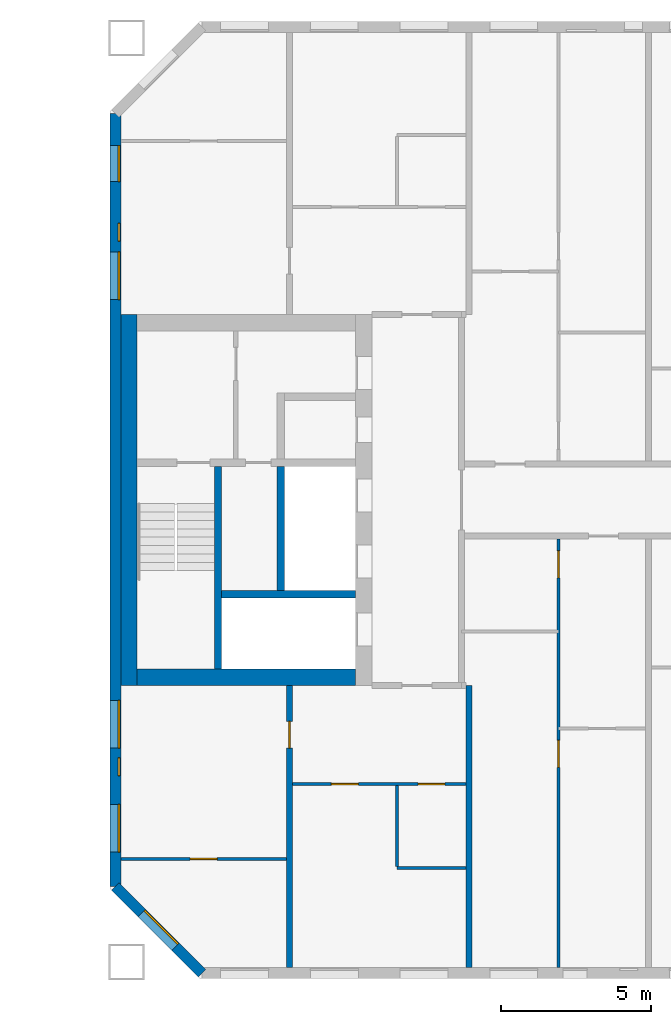
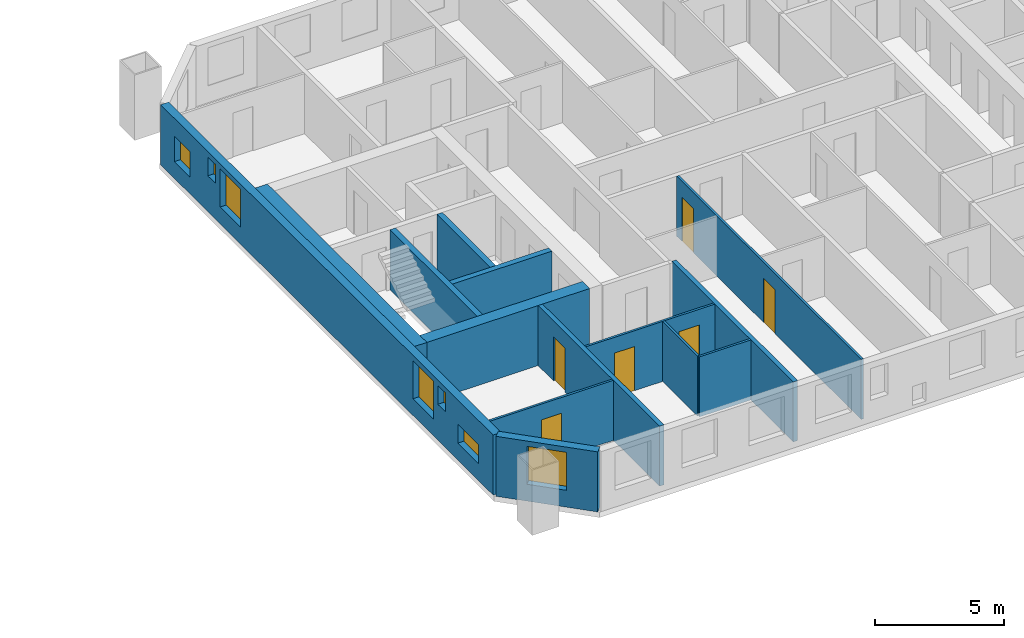
# One storey, part 9 of 16: 14 walls, 7 windows, 6 doors, 13 openings.
"""IFC4 building model written with IfcOpenShell, lengths in metres."""

from ifc_helpers import new_model, si_unit, direction, frame, frame_2d, origin, place, context, subcontext, project, spatial, rectangle, extrude, material, layer, layer_set, type_object, element, fill, save


model = new_model("IFC4")

# Units and contexts
model_context = context("Model", 3, precision=1e-05, world=origin(), true_north=direction((0.0, 1.0)))
body_context = subcontext(model_context, "Body", "Model", "MODEL_VIEW")
ifc_project = project(units=[si_unit("LENGTHUNIT", "METRE"), si_unit("AREAUNIT", "SQUARE_METRE"), si_unit("VOLUMEUNIT", "CUBIC_METRE"), si_unit("PLANEANGLEUNIT", "RADIAN"), si_unit("MASSUNIT", "GRAM", prefix="KILO")], contexts=[model_context])

# Site, building, storey
site_placement = place(None, origin())
site = spatial("IfcSite", under=ifc_project, at=site_placement, CompositionType="ELEMENT")
building_placement = place(site_placement, origin())
building = spatial("IfcBuilding", under=site, at=building_placement, Name="Tuart Gate Housing", CompositionType="ELEMENT")
storey_placement = place(building_placement, frame((0.0, 0.0, 136.10009765625)))
storey = spatial("IfcBuildingStorey", under=building, at=storey_placement, Name="L38", CompositionType="ELEMENT", Elevation=136.10009765625)

# Wall, opening, window
ifc_material_1 = material(Name="Brick", Category="masonry")
ifc_layer_1 = layer(ifc_material_1, 0.360107421875)
ifc_layer_set_1 = layer_set([ifc_layer_1], Name="Brick pier and spandrel wall 360")
wall_type_1 = type_object("IfcWallType", Name="Brick pier and spandrel wall 360", PredefinedType="STANDARD", material=ifc_layer_set_1)
wall_1_placement = place(storey_placement, frame((131.179931640625, 57.07470703125, 0.0), z_axis=(0.0, 0.0, 1.0), x_axis=(0.707106781187, -0.707106781187, 0.0)))
wall_1 = element("IfcWall", 1, at=wall_1_placement, inside=storey, type_object=wall_type_1, Name="External wall B-SW L38", PredefinedType="STANDARD", context=body_context, shape_type="SweptSolid", body=[
    extrude(rectangle(XDim=4.09375, YDim=0.360107421875, at=frame_2d((2.046875, 0.0))), origin(), (0.0, 0.0, 1.0), 2.849853515625),
])
opening_1_placement = place(wall_1_placement, frame((1.2470703125, 0.0, 0.800048828125)))
opening_1 = element("IfcOpeningElement", 2, at=opening_1_placement, cuts=wall_1, Name="Opening W1", PredefinedType="OPENING", context=body_context, shape_type="SweptSolid", body=[
    extrude(rectangle(XDim=1.60009765625, YDim=1.800048828125, at=frame_2d((0.800048828125, 0.89990234375))), frame((0.0, 0.18994140625, 0.0), z_axis=(0.0, -1.0, 0.0), x_axis=(1.0, 0.0, 0.0)), (0.0, 0.0, 1.0), 0.380126953125),
])
ifc_material_2 = material(Name="Aluminium frame with clear glass", Category="aluminium")
window_type_1 = type_object("IfcWindowType", Name="Punched window 1600 x 1800", PartitioningType="SINGLE_PANEL", PredefinedType="WINDOW", material=ifc_material_2)
window_1_placement = place(opening_1_placement, origin())
window_1 = element("IfcWindow", 3, at=window_1_placement, inside=storey, type_object=window_type_1, Name="Window W1", OverallHeight=1.800048828125, OverallWidth=1.60009765625, PartitioningType="SINGLE_PANEL", PredefinedType="WINDOW", context=body_context, shape_type="SweptSolid", body=[
    extrude(rectangle(XDim=1.60009765625, YDim=1.800048828125, at=frame_2d((0.800048828125, 0.89990234375))), frame((0.0, 0.150146484375, 0.0), z_axis=(0.0, -1.0, 0.0), x_axis=(1.0, 0.0, 0.0)), (0.0, 0.0, 1.0), 0.06005859375),
])
fill(opening_1, window_1)

# Wall, openings, windows
wall_2_placement = place(storey_placement, frame((131.179931640625, 82.92529296875, 0.0), z_axis=(0.0, 0.0, 1.0), x_axis=(0.0, -1.0, 0.0)))
wall_2 = element("IfcWall", 4, at=wall_2_placement, inside=storey, type_object=wall_type_1, Name="External wall B-W L38", PredefinedType="STANDARD", context=body_context, shape_type="SweptSolid", body=[
    extrude(rectangle(XDim=25.850830078125, YDim=0.360107421875, at=frame_2d((12.92529296875, 0.0))), origin(), (0.0, 0.0, 1.0), 2.849853515625),
])
opening_2_placement = place(wall_2_placement, frame((1.075439453125, 0.0, 0.800048828125)))
opening_2 = element("IfcOpeningElement", 5, at=opening_2_placement, cuts=wall_2, Name="Opening W1N", PredefinedType="OPENING", context=body_context, shape_type="SweptSolid", body=[
    extrude(rectangle(XDim=1.199951171875, YDim=1.199951171875, at=frame_2d((0.60009765625, 0.60009765625))), frame((0.0, 0.18994140625, 0.0), z_axis=(0.0, -1.0, 0.0), x_axis=(1.0, 0.0, 0.0)), (0.0, 0.0, 1.0), 0.380126953125),
])
opening_3_placement = place(wall_2_placement, frame((4.62548828125, 0.0, 0.800048828125)))
opening_3 = element("IfcOpeningElement", 6, at=opening_3_placement, cuts=wall_2, Name="Opening W1", PredefinedType="OPENING", context=body_context, shape_type="SweptSolid", body=[
    extrude(rectangle(XDim=1.60009765625, YDim=1.800048828125, at=frame_2d((0.800048828125, 0.89990234375))), frame((0.0, 0.18994140625, 0.0), z_axis=(0.0, -1.0, 0.0), x_axis=(1.0, 0.0, 0.0)), (0.0, 0.0, 1.0), 0.380126953125),
])
opening_4_placement = place(wall_2_placement, frame((19.62548828125, 0.0, 0.800048828125)))
opening_4 = element("IfcOpeningElement", 7, at=opening_4_placement, cuts=wall_2, Name="Opening W1", PredefinedType="OPENING", context=body_context, shape_type="SweptSolid", body=[
    extrude(rectangle(XDim=1.60009765625, YDim=1.800048828125, at=frame_2d((0.800048828125, 0.89990234375))), frame((0.0, 0.18994140625, 0.0), z_axis=(0.0, -1.0, 0.0), x_axis=(1.0, 0.0, 0.0)), (0.0, 0.0, 1.0), 0.380126953125),
])
opening_5_placement = place(wall_2_placement, frame((21.55029296875, 0.0, 1.699951171875)))
opening_5 = element("IfcOpeningElement", 8, at=opening_5_placement, cuts=wall_2, Name="Opening W1W", PredefinedType="OPENING", context=body_context, shape_type="SweptSolid", body=[
    extrude(rectangle(XDim=0.60009765625, YDim=0.89990234375, at=frame_2d((0.300048828125, 0.449951171875))), frame((0.0, 0.18994140625, 0.0), z_axis=(0.0, -1.0, 0.0), x_axis=(1.0, 0.0, 0.0)), (0.0, 0.0, 1.0), 0.380126953125),
])
opening_6_placement = place(wall_2_placement, frame((3.67529296875, 0.0, 1.699951171875)))
opening_6 = element("IfcOpeningElement", 9, at=opening_6_placement, cuts=wall_2, Name="Opening W1W", PredefinedType="OPENING", context=body_context, shape_type="SweptSolid", body=[
    extrude(rectangle(XDim=0.60009765625, YDim=0.89990234375, at=frame_2d((0.300048828125, 0.449951171875))), frame((0.0, 0.18994140625, 0.0), z_axis=(0.0, -1.0, 0.0), x_axis=(1.0, 0.0, 0.0)), (0.0, 0.0, 1.0), 0.380126953125),
])
opening_7_placement = place(wall_2_placement, frame((23.100341796875, 0.0, 0.800048828125)))
opening_7 = element("IfcOpeningElement", 10, at=opening_7_placement, cuts=wall_2, Name="Opening W1R", PredefinedType="OPENING", context=body_context, shape_type="SweptSolid", body=[
    extrude(rectangle(XDim=1.60009765625, YDim=0.89990234375, at=frame_2d((0.800048828125, 0.449951171875))), frame((0.0, 0.18994140625, 0.0), z_axis=(0.0, -1.0, 0.0), x_axis=(1.0, 0.0, 0.0)), (0.0, 0.0, 1.0), 0.380126953125),
])
ifc_material_3 = material(Name="Aluminium frame with clear glass", Category="aluminium")
window_type_2 = type_object("IfcWindowType", Name="Punched window 1200 x 1200", PartitioningType="SINGLE_PANEL", PredefinedType="WINDOW", material=ifc_material_3)
window_2_placement = place(opening_2_placement, origin())
window_2 = element("IfcWindow", 11, at=window_2_placement, inside=storey, type_object=window_type_2, Name="Window W1N", OverallHeight=1.199951171875, OverallWidth=1.199951171875, PartitioningType="SINGLE_PANEL", PredefinedType="WINDOW", context=body_context, shape_type="SweptSolid", body=[
    extrude(rectangle(XDim=1.199951171875, YDim=1.199951171875, at=frame_2d((0.60009765625, 0.60009765625))), frame((0.0, 0.150146484375, 0.0), z_axis=(0.0, -1.0, 0.0), x_axis=(1.0, 0.0, 0.0)), (0.0, 0.0, 1.0), 0.06005859375),
])
fill(opening_2, window_2)
window_3_placement = place(opening_3_placement, origin())
window_3 = element("IfcWindow", 12, at=window_3_placement, inside=storey, type_object=window_type_1, Name="Window W1", OverallHeight=1.800048828125, OverallWidth=1.60009765625, PartitioningType="SINGLE_PANEL", PredefinedType="WINDOW", context=body_context, shape_type="SweptSolid", body=[
    extrude(rectangle(XDim=1.60009765625, YDim=1.800048828125, at=frame_2d((0.800048828125, 0.89990234375))), frame((0.0, 0.150146484375, 0.0), z_axis=(0.0, -1.0, 0.0), x_axis=(1.0, 0.0, 0.0)), (0.0, 0.0, 1.0), 0.06005859375),
])
fill(opening_3, window_3)
window_4_placement = place(opening_4_placement, origin())
window_4 = element("IfcWindow", 13, at=window_4_placement, inside=storey, type_object=window_type_1, Name="Window W1", OverallHeight=1.800048828125, OverallWidth=1.60009765625, PartitioningType="SINGLE_PANEL", PredefinedType="WINDOW", context=body_context, shape_type="SweptSolid", body=[
    extrude(rectangle(XDim=1.60009765625, YDim=1.800048828125, at=frame_2d((0.800048828125, 0.89990234375))), frame((0.0, 0.150146484375, 0.0), z_axis=(0.0, -1.0, 0.0), x_axis=(1.0, 0.0, 0.0)), (0.0, 0.0, 1.0), 0.06005859375),
])
fill(opening_4, window_4)
ifc_material_4 = material(Name="Aluminium frame with clear glass", Category="aluminium")
window_type_3 = type_object("IfcWindowType", Name="Punched window 1600 x 900", PartitioningType="SINGLE_PANEL", PredefinedType="WINDOW", material=ifc_material_4)
window_5_placement = place(opening_7_placement, origin())
window_5 = element("IfcWindow", 14, at=window_5_placement, inside=storey, type_object=window_type_3, Name="Window W1R", OverallHeight=0.89990234375, OverallWidth=1.60009765625, PartitioningType="SINGLE_PANEL", PredefinedType="WINDOW", context=body_context, shape_type="SweptSolid", body=[
    extrude(rectangle(XDim=1.60009765625, YDim=0.89990234375, at=frame_2d((0.800048828125, 0.449951171875))), frame((0.0, 0.150146484375, 0.0), z_axis=(0.0, -1.0, 0.0), x_axis=(1.0, 0.0, 0.0)), (0.0, 0.0, 1.0), 0.06005859375),
])
fill(opening_7, window_5)
ifc_material_5 = material(Name="Aluminium frame with clear glass", Category="aluminium")
window_type_4 = type_object("IfcWindowType", Name="Punched window 600 x 900", PartitioningType="SINGLE_PANEL", PredefinedType="WINDOW", material=ifc_material_5)
window_6_placement = place(opening_5_placement, origin())
window_6 = element("IfcWindow", 15, at=window_6_placement, inside=storey, type_object=window_type_4, Name="Window W1W", OverallHeight=0.89990234375, OverallWidth=0.60009765625, PartitioningType="SINGLE_PANEL", PredefinedType="WINDOW", context=body_context, shape_type="SweptSolid", body=[
    extrude(rectangle(XDim=0.60009765625, YDim=0.89990234375, at=frame_2d((0.300048828125, 0.449951171875))), frame((0.0, 0.150146484375, 0.0), z_axis=(0.0, -1.0, 0.0), x_axis=(1.0, 0.0, 0.0)), (0.0, 0.0, 1.0), 0.06005859375),
])
fill(opening_5, window_6)
window_7_placement = place(opening_6_placement, origin())
window_7 = element("IfcWindow", 16, at=window_7_placement, inside=storey, type_object=window_type_4, Name="Window W1W", OverallHeight=0.89990234375, OverallWidth=0.60009765625, PartitioningType="SINGLE_PANEL", PredefinedType="WINDOW", context=body_context, shape_type="SweptSolid", body=[
    extrude(rectangle(XDim=0.60009765625, YDim=0.89990234375, at=frame_2d((0.300048828125, 0.449951171875))), frame((0.0, 0.150146484375, 0.0), z_axis=(0.0, -1.0, 0.0), x_axis=(1.0, 0.0, 0.0)), (0.0, 0.0, 1.0), 0.06005859375),
])
fill(opening_6, window_7)

# Walls
ifc_material_6 = material(Name="Concrete C50", Category="concrete")
ifc_layer_2 = layer(ifc_material_6, 0.25)
ifc_layer_set_2 = layer_set([ifc_layer_2], Name="Core wall 250 C50")
wall_type_2 = type_object("IfcWallType", Name="Core wall 250 C50", PredefinedType="SHEAR", material=ifc_layer_set_2)
wall_3_placement = place(storey_placement, frame((139.2099609375, 66.85009765625, 0.0), z_axis=(0.0, 0.0, 1.0), x_axis=(-1.0, 0.0, 0.0)))
element("IfcWall", 17, at=wall_3_placement, inside=storey, type_object=wall_type_2, Name="Core wall BG.1", PredefinedType="SHEAR", context=body_context, shape_type="SweptSolid", body=[
    extrude(rectangle(XDim=4.474853515625, YDim=0.25, at=frame_2d((2.2373046875, 0.0))), origin(), (0.0, 0.0, 1.0), 2.849853515625),
])
wall_4_placement = place(storey_placement, frame((136.7099609375, 66.97509765625, 0.0), z_axis=(0.0, 0.0, 1.0), x_axis=(0.0, 1.0, 0.0)))
element("IfcWall", 18, at=wall_4_placement, inside=storey, type_object=wall_type_2, Name="Core wall BG.4", PredefinedType="SHEAR", context=body_context, shape_type="SweptSolid", body=[
    extrude(rectangle(XDim=4.14990234375, YDim=0.25, at=frame_2d((2.074951171875, 0.0))), origin(), (0.0, 0.0, 1.0), 2.849853515625),
])
wall_5_placement = place(storey_placement, frame((134.610107421875, 64.35009765625, 0.0), z_axis=(0.0, 0.0, 1.0), x_axis=(0.0, 1.0, 0.0)))
element("IfcWall", 19, at=wall_5_placement, inside=storey, type_object=wall_type_2, Name="Core wall BG.7", PredefinedType="SHEAR", context=body_context, shape_type="SweptSolid", body=[
    extrude(rectangle(XDim=6.77490234375, YDim=0.25, at=frame_2d((3.387451171875, 0.0))), origin(), (0.0, 0.0, 1.0), 2.849853515625),
])
ifc_material_7 = material(Name="Concrete C50", Category="concrete")
ifc_layer_3 = layer(ifc_material_7, 0.550048828125)
ifc_layer_set_3 = layer_set([ifc_layer_3], Name="Core wall 550 C50")
wall_type_3 = type_object("IfcWallType", Name="Core wall 550 C50", PredefinedType="SHEAR", material=ifc_layer_set_3)
wall_6_placement = place(storey_placement, frame((131.635009765625, 63.800048828125, 0.0), z_axis=(0.0, 0.0, 1.0), x_axis=(0.0, 1.0, 0.0)))
element("IfcWall", 20, at=wall_6_placement, inside=storey, type_object=wall_type_3, Name="Core wall BG back", PredefinedType="SHEAR", context=body_context, shape_type="SweptSolid", body=[
    extrude(rectangle(XDim=12.39990234375, YDim=0.550048828125, at=frame_2d((6.199951171875, 0.0))), origin(), (0.0, 0.0, 1.0), 2.849853515625),
])
wall_7_placement = place(storey_placement, frame((139.2099609375, 64.074951171875, 0.0), z_axis=(0.0, 0.0, 1.0), x_axis=(-1.0, 0.0, 0.0)))
element("IfcWall", 21, at=wall_7_placement, inside=storey, type_object=wall_type_3, Name="Core wall BG south", PredefinedType="SHEAR", context=body_context, shape_type="SweptSolid", body=[
    extrude(rectangle(XDim=7.300048828125, YDim=0.550048828125, at=frame_2d((3.64990234375, 0.0))), origin(), (0.0, 0.0, 1.0), 2.849853515625),
])
ifc_material_8 = material(Name="Gypsum board on steel studs", Category="steel")
ifc_layer_4 = layer(ifc_material_8, 0.10009765625)
ifc_layer_set_4 = layer_set([ifc_layer_4], Name="Partition 100")
wall_type_4 = type_object("IfcWallType", Name="Partition 100", PredefinedType="PARTITIONING", material=ifc_layer_set_4)
wall_8_placement = place(storey_placement, frame((140.60009765625, 57.699951171875, 0.0), z_axis=(0.0, 0.0, 1.0), x_axis=(1.0, 0.0, 0.0)))
element("IfcWall", 22, at=wall_8_placement, inside=storey, type_object=wall_type_4, Name="Partition 100", PredefinedType="PARTITIONING", context=body_context, shape_type="SweptSolid", body=[
    extrude(rectangle(XDim=2.2998046875, YDim=0.10009765625, at=frame_2d((1.14990234375, 0.0))), origin(), (0.0, 0.0, 1.0), 2.849853515625),
])

# Wall, opening, door
wall_9_placement = place(storey_placement, frame((131.360107421875, 58.0, 0.0), z_axis=(0.0, 0.0, 1.0), x_axis=(1.0, 0.0, 0.0)))
wall_9 = element("IfcWall", 23, at=wall_9_placement, inside=storey, type_object=wall_type_4, Name="Partition 100", PredefinedType="PARTITIONING", context=body_context, shape_type="SweptSolid", body=[
    extrude(rectangle(XDim=5.539794921875, YDim=0.10009765625, at=frame_2d((2.77001953125, 0.0))), origin(), (0.0, 0.0, 1.0), 2.849853515625),
])
opening_8_placement = place(wall_9_placement, frame((2.320068359375, 0.0, 0.0)))
opening_8 = element("IfcOpeningElement", 24, at=opening_8_placement, cuts=wall_9, Name="Opening D1513", PredefinedType="OPENING", context=body_context, shape_type="SweptSolid", body=[
    extrude(rectangle(XDim=0.89990234375, YDim=2.10009765625, at=frame_2d((0.449951171875, 1.050048828125))), frame((0.0, 0.06005859375, 0.0), z_axis=(0.0, -1.0, 0.0), x_axis=(1.0, 0.0, 0.0)), (0.0, 0.0, 1.0), 0.1201171875),
])
ifc_material_9 = material(Name="Timber door leaf in steel frame", Category="steel")
door_type_1 = type_object("IfcDoorType", Name="Internal door 900 RH", OperationType="SINGLE_SWING_RIGHT", PredefinedType="DOOR", material=ifc_material_9)
door_1_placement = place(opening_8_placement, frame((0.89990234375, 0.0, 0.0), z_axis=(0.0, 0.0, 1.0), x_axis=(-1.0, 0.0, 0.0)))
door_1 = element("IfcDoor", 25, at=door_1_placement, inside=storey, type_object=door_type_1, Name="Internal door", OperationType="SINGLE_SWING_RIGHT", OverallHeight=2.10009765625, OverallWidth=0.89990234375, PredefinedType="DOOR", context=body_context, shape_type="SweptSolid", body=[
    extrude(rectangle(XDim=0.89990234375, YDim=2.10009765625, at=frame_2d((0.449951171875, 1.050048828125))), frame((0.0, 0.025146484375, 0.0), z_axis=(0.0, -1.0, 0.0), x_axis=(1.0, 0.0, 0.0)), (0.0, 0.0, 1.0), 0.050048828125),
])
fill(opening_8, door_1)

# Wall, openings, doors
wall_10_placement = place(storey_placement, frame((137.10009765625, 60.5, 0.0), z_axis=(0.0, 0.0, 1.0), x_axis=(1.0, 0.0, 0.0)))
wall_10 = element("IfcWall", 26, at=wall_10_placement, inside=storey, type_object=wall_type_4, Name="Partition 100", PredefinedType="PARTITIONING", context=body_context, shape_type="SweptSolid", body=[
    extrude(rectangle(XDim=5.7998046875, YDim=0.10009765625, at=frame_2d((2.89990234375, 0.0))), origin(), (0.0, 0.0, 1.0), 2.849853515625),
])
opening_9_placement = place(wall_10_placement, frame((1.300048828125, 0.0, 0.0)))
opening_9 = element("IfcOpeningElement", 27, at=opening_9_placement, cuts=wall_10, Name="Opening D1509", PredefinedType="OPENING", context=body_context, shape_type="SweptSolid", body=[
    extrude(rectangle(XDim=0.89990234375, YDim=2.10009765625, at=frame_2d((0.449951171875, 1.050048828125))), frame((0.0, 0.06005859375, 0.0), z_axis=(0.0, -1.0, 0.0), x_axis=(1.0, 0.0, 0.0)), (0.0, 0.0, 1.0), 0.1201171875),
])
opening_10_placement = place(wall_10_placement, frame((4.199951171875, 0.0, 0.0)))
opening_10 = element("IfcOpeningElement", 28, at=opening_10_placement, cuts=wall_10, Name="Opening D1508", PredefinedType="OPENING", context=body_context, shape_type="SweptSolid", body=[
    extrude(rectangle(XDim=0.89990234375, YDim=2.10009765625, at=frame_2d((0.449951171875, 1.050048828125))), frame((0.0, 0.06005859375, 0.0), z_axis=(0.0, -1.0, 0.0), x_axis=(1.0, 0.0, 0.0)), (0.0, 0.0, 1.0), 0.1201171875),
])
ifc_material_10 = material(Name="Timber door leaf in steel frame", Category="steel")
door_type_2 = type_object("IfcDoorType", Name="Bathroom door 900 RH", OperationType="SINGLE_SWING_RIGHT", PredefinedType="DOOR", material=ifc_material_10)
door_2_placement = place(opening_10_placement, frame((0.89990234375, 0.0, 0.0), z_axis=(0.0, 0.0, 1.0), x_axis=(-1.0, 0.0, 0.0)))
door_2 = element("IfcDoor", 29, at=door_2_placement, inside=storey, type_object=door_type_2, Name="Bathroom door", OperationType="SINGLE_SWING_RIGHT", OverallHeight=2.10009765625, OverallWidth=0.89990234375, PredefinedType="DOOR", context=body_context, shape_type="SweptSolid", body=[
    extrude(rectangle(XDim=0.89990234375, YDim=2.10009765625, at=frame_2d((0.449951171875, 1.050048828125))), frame((0.0, 0.025146484375, 0.0), z_axis=(0.0, -1.0, 0.0), x_axis=(1.0, 0.0, 0.0)), (0.0, 0.0, 1.0), 0.050048828125),
])
fill(opening_10, door_2)
ifc_material_11 = material(Name="Timber door leaf in steel frame", Category="steel")
door_type_3 = type_object("IfcDoorType", Name="Internal door 900", OperationType="SINGLE_SWING_LEFT", PredefinedType="DOOR", material=ifc_material_11)
door_3_placement = place(opening_9_placement, frame((0.89990234375, 0.0, 0.0), z_axis=(0.0, 0.0, 1.0), x_axis=(-1.0, 0.0, 0.0)))
door_3 = element("IfcDoor", 30, at=door_3_placement, inside=storey, type_object=door_type_3, Name="Internal door", OperationType="SINGLE_SWING_LEFT", OverallHeight=2.10009765625, OverallWidth=0.89990234375, PredefinedType="DOOR", context=body_context, shape_type="SweptSolid", body=[
    extrude(rectangle(XDim=0.89990234375, YDim=2.10009765625, at=frame_2d((0.449951171875, 1.050048828125))), frame((0.0, 0.025146484375, 0.0), z_axis=(0.0, -1.0, 0.0), x_axis=(1.0, 0.0, 0.0)), (0.0, 0.0, 1.0), 0.050048828125),
])
fill(opening_9, door_3)

# Wall
wall_11_placement = place(storey_placement, frame((140.60009765625, 57.75, 0.0), z_axis=(0.0, 0.0, 1.0), x_axis=(0.0, 1.0, 0.0)))
element("IfcWall", 31, at=wall_11_placement, inside=storey, type_object=wall_type_4, Name="Partition 100", PredefinedType="PARTITIONING", context=body_context, shape_type="SweptSolid", body=[
    extrude(rectangle(XDim=2.699951171875, YDim=0.10009765625, at=frame_2d((1.35009765625, 0.0))), origin(), (0.0, 0.0, 1.0), 2.849853515625),
])

# Wall, openings, doors
wall_12_placement = place(storey_placement, frame((146.0, 54.360107421875, 0.0), z_axis=(0.0, 0.0, 1.0), x_axis=(0.0, 1.0, 0.0)))
wall_12 = element("IfcWall", 32, at=wall_12_placement, inside=storey, type_object=wall_type_4, Name="Partition 100", PredefinedType="PARTITIONING", context=body_context, shape_type="SweptSolid", body=[
    extrude(rectangle(XDim=14.33984375, YDim=0.10009765625, at=frame_2d((7.169921875, 0.0))), origin(), (0.0, 0.0, 1.0), 2.849853515625),
])
opening_11_placement = place(wall_12_placement, frame((6.699951171875, 0.0, 0.0)))
opening_11 = element("IfcOpeningElement", 33, at=opening_11_placement, cuts=wall_12, Name="Opening D1503", PredefinedType="OPENING", context=body_context, shape_type="SweptSolid", body=[
    extrude(rectangle(XDim=0.89990234375, YDim=2.10009765625, at=frame_2d((0.449951171875, 1.050048828125))), frame((0.0, 0.06005859375, 0.0), z_axis=(0.0, -1.0, 0.0), x_axis=(1.0, 0.0, 0.0)), (0.0, 0.0, 1.0), 0.1201171875),
])
opening_12_placement = place(wall_12_placement, frame((13.0400390625, 0.0, 0.0)))
opening_12 = element("IfcOpeningElement", 34, at=opening_12_placement, cuts=wall_12, Name="Opening D1502", PredefinedType="OPENING", context=body_context, shape_type="SweptSolid", body=[
    extrude(rectangle(XDim=0.89990234375, YDim=2.10009765625, at=frame_2d((0.449951171875, 1.050048828125))), frame((0.0, 0.06005859375, 0.0), z_axis=(0.0, -1.0, 0.0), x_axis=(1.0, 0.0, 0.0)), (0.0, 0.0, 1.0), 0.1201171875),
])
door_4_placement = place(opening_12_placement, origin())
door_4 = element("IfcDoor", 35, at=door_4_placement, inside=storey, type_object=door_type_2, Name="Bathroom door", OperationType="SINGLE_SWING_RIGHT", OverallHeight=2.10009765625, OverallWidth=0.89990234375, PredefinedType="DOOR", context=body_context, shape_type="SweptSolid", body=[
    extrude(rectangle(XDim=0.89990234375, YDim=2.10009765625, at=frame_2d((0.449951171875, 1.050048828125))), frame((0.0, 0.02490234375, 0.0), z_axis=(0.0, -1.0, 0.0), x_axis=(1.0, 0.0, 0.0)), (0.0, 0.0, 1.0), 0.050048828125),
])
fill(opening_12, door_4)
door_5_placement = place(opening_11_placement, origin())
door_5 = element("IfcDoor", 36, at=door_5_placement, inside=storey, type_object=door_type_1, Name="Internal door", OperationType="SINGLE_SWING_RIGHT", OverallHeight=2.10009765625, OverallWidth=0.89990234375, PredefinedType="DOOR", context=body_context, shape_type="SweptSolid", body=[
    extrude(rectangle(XDim=0.89990234375, YDim=2.10009765625, at=frame_2d((0.449951171875, 1.050048828125))), frame((0.0, 0.02490234375, 0.0), z_axis=(0.0, -1.0, 0.0), x_axis=(1.0, 0.0, 0.0)), (0.0, 0.0, 1.0), 0.050048828125),
])
fill(opening_11, door_5)

# Wall, opening, door
ifc_material_12 = material(Name="Concrete C40", Category="concrete")
ifc_layer_5 = layer(ifc_material_12, 0.199951171875)
ifc_layer_set_5 = layer_set([ifc_layer_5], Name="Party wall concrete C40 200")
wall_type_5 = type_object("IfcWallType", Name="Party wall concrete C40 200", PredefinedType="SOLIDWALL", material=ifc_layer_set_5)
wall_13_placement = place(storey_placement, frame((137.0, 54.360107421875, 0.0), z_axis=(0.0, 0.0, 1.0), x_axis=(0.0, 1.0, 0.0)))
wall_13 = element("IfcWall", 37, at=wall_13_placement, inside=storey, type_object=wall_type_5, Name="Party wall concrete C40 200", PredefinedType="SOLIDWALL", context=body_context, shape_type="SweptSolid", body=[
    extrude(rectangle(XDim=9.43994140625, YDim=0.199951171875, at=frame_2d((4.719970703125, 0.0))), origin(), (0.0, 0.0, 1.0), 2.849853515625),
])
opening_13_placement = place(wall_13_placement, frame((7.340087890625, 0.0, 0.0)))
opening_13 = element("IfcOpeningElement", 38, at=opening_13_placement, cuts=wall_13, Name="Opening D1512", PredefinedType="OPENING", context=body_context, shape_type="SweptSolid", body=[
    extrude(rectangle(XDim=0.89990234375, YDim=2.10009765625, at=frame_2d((0.449951171875, 1.050048828125))), frame((0.0, 0.10986328125, 0.0), z_axis=(0.0, -1.0, 0.0), x_axis=(1.0, 0.0, 0.0)), (0.0, 0.0, 1.0), 0.219970703125),
])
door_6_placement = place(opening_13_placement, frame((0.89990234375, 0.0, 0.0), z_axis=(0.0, 0.0, 1.0), x_axis=(-1.0, 0.0, 0.0)))
door_6 = element("IfcDoor", 39, at=door_6_placement, inside=storey, type_object=door_type_1, Name="Internal door", OperationType="SINGLE_SWING_RIGHT", OverallHeight=2.10009765625, OverallWidth=0.89990234375, PredefinedType="DOOR", context=body_context, shape_type="SweptSolid", body=[
    extrude(rectangle(XDim=0.89990234375, YDim=2.10009765625, at=frame_2d((0.449951171875, 1.050048828125))), frame((0.0, 0.025146484375, 0.0), z_axis=(0.0, -1.0, 0.0), x_axis=(1.0, 0.0, 0.0)), (0.0, 0.0, 1.0), 0.050048828125),
])
fill(opening_13, door_6)

# Wall
wall_14_placement = place(storey_placement, frame((143.0, 54.360107421875, 0.0), z_axis=(0.0, 0.0, 1.0), x_axis=(0.0, 1.0, 0.0)))
element("IfcWall", 40, at=wall_14_placement, inside=storey, type_object=wall_type_5, Name="Party wall concrete C40 200", PredefinedType="SOLIDWALL", context=body_context, shape_type="SweptSolid", body=[
    extrude(rectangle(XDim=9.43994140625, YDim=0.199951171875, at=frame_2d((4.719970703125, 0.0))), origin(), (0.0, 0.0, 1.0), 2.849853515625),
])

save(model, "model.ifc")
